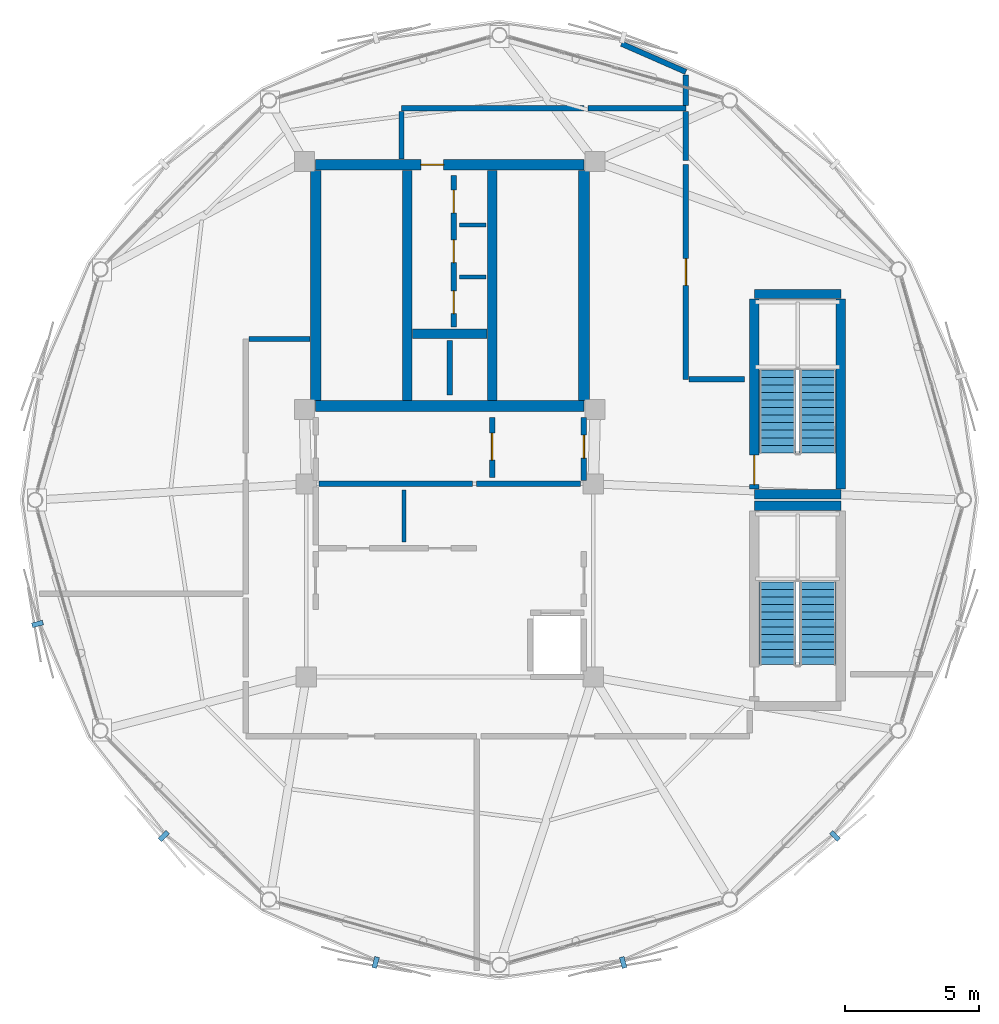
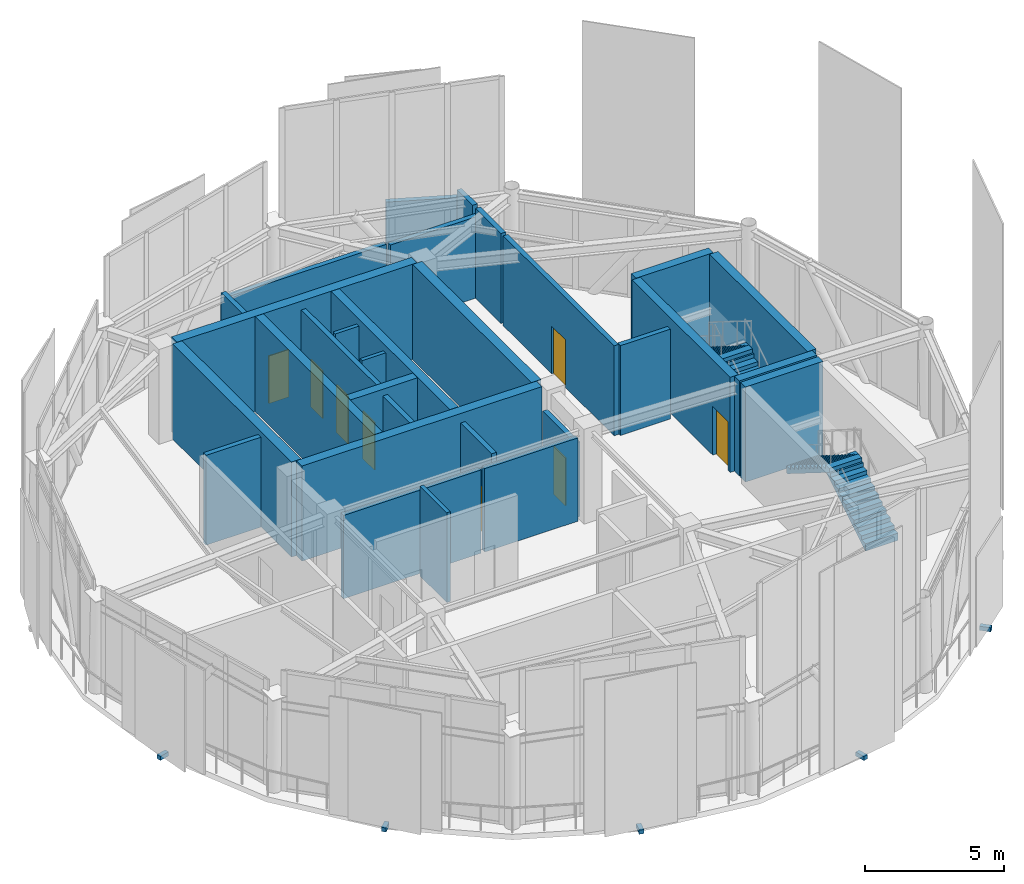
# One storey, part 16 of 20: 30 walls, 8 doors, 5 discrete accessories, 4 stair flights, 8 openings, 2 elements without a shape of their own.
"""IFC4 building model written with IfcOpenShell, lengths in metres."""

from ifc_helpers import new_model, si_unit, direction, frame, frame_2d, origin, origin_2d, place, context, subcontext, project, spatial, polyline, rectangle, outline, extrude, source, transform, mapped, material, layer, layer_set, type_object, type_shapes, element, fill, aggregate, save


model = new_model("IFC4")

# Units and contexts
model_context = context("Model", 3, precision=1e-05, world=origin(), true_north=direction((0.0, 1.0)))
body_context = subcontext(model_context, "Body", "Model", "MODEL_VIEW")
ifc_project = project(units=[si_unit("LENGTHUNIT", "METRE"), si_unit("AREAUNIT", "SQUARE_METRE"), si_unit("VOLUMEUNIT", "CUBIC_METRE"), si_unit("PLANEANGLEUNIT", "RADIAN"), si_unit("MASSUNIT", "GRAM", prefix="KILO")], contexts=[model_context])

# Site, building, storey
site_placement = place(None, origin())
site = spatial("IfcSite", under=ifc_project, at=site_placement, CompositionType="ELEMENT")
building_placement = place(site_placement, origin())
building = spatial("IfcBuilding", under=site, at=building_placement, Name="Varnakorn Sky Granary", CompositionType="ELEMENT")
storey_placement = place(building_placement, frame((0.0, 0.0, 310.800048828125)))
storey = spatial("IfcBuildingStorey", under=building, at=storey_placement, Name="L79", CompositionType="ELEMENT", Elevation=310.800048828125)

# Walls
ifc_material_1 = material(Name="Concrete C50/60", Category="concrete")
ifc_layer_1 = layer(ifc_material_1, 0.35009765625, Name="Concrete C50/60")
ifc_layer_set_1 = layer_set([ifc_layer_1], Name="Concrete C50/60")
wall_type_1 = type_object("IfcWallType", Name="WT-CW-INT-350", PredefinedType="SHEAR", material=ifc_layer_set_1)
for number, where, z_axis, x_axis, name in (
    (1, (14.35009765625, 0.219970703125, 0.0), (0.0, 0.0, 1.0), (1.0, 0.0, 0.0), "Crown Stair STC1 South Wall L79"),
    (2, (14.35009765625, 7.679931640625, 0.0), (0.0, 0.0, 1.0), (1.0, 0.0, 0.0), "Crown Stair STC1 North Wall L79"),
):
    element("IfcWall", number, at=place(storey_placement, frame(where, z_axis=z_axis, x_axis=x_axis)), inside=storey, type_object=wall_type_1, Name=name, PredefinedType="SHEAR", context=body_context, shape_type="SweptSolid", body=[
        extrude(rectangle(XDim=3.22998046875, YDim=0.35009765625, at=frame_2d((1.614990234375, 0.0))), origin(), (0.0, 0.0, 1.0), 4.19189453125),
    ])

# Wall, opening, door
wall_1_placement = place(storey_placement, frame((14.35009765625, 0.409912109375, 0.0), z_axis=(0.0, 0.0, 1.0), x_axis=(0.0, 1.0, 0.0)))
wall_1 = element("IfcWall", 3, at=wall_1_placement, inside=storey, type_object=wall_type_1, Name="Crown Stair STC1 West Wall L79", PredefinedType="SHEAR", context=body_context, shape_type="SweptSolid", body=[
    extrude(rectangle(XDim=7.080078125, YDim=0.35009765625, at=frame_2d((3.5400390625, 0.0))), origin(), (0.0, 0.0, 1.0), 4.19189453125),
])
opening_1_placement = place(wall_1_placement, frame((0.159912109375, 0.0, 0.0)))
opening_1 = element("IfcOpeningElement", 4, at=opening_1_placement, cuts=wall_1, Name="Opening FD-90", PredefinedType="OPENING", context=body_context, shape_type="SweptSolid", body=[
    extrude(rectangle(XDim=1.10009765625, YDim=2.14990234375, at=frame_2d((0.550048828125, 1.074951171875))), frame((0.0, 0.18505859375, 0.0), z_axis=(0.0, -1.0, 0.0), x_axis=(1.0, 0.0, 0.0)), (0.0, 0.0, 1.0), 0.3701171875),
])
ifc_material_2 = material(Name="Galvanised Painted Steel Leaf", Category="steel")
door_type_1 = type_object("IfcDoorType", Name="DR-STAIR-1100", OperationType="NOTDEFINED", PredefinedType="DOOR", material=ifc_material_2)
door_1_placement = place(opening_1_placement, origin())
door_1 = element("IfcDoor", 5, at=door_1_placement, inside=storey, type_object=door_type_1, Name="Crown Stair STC1 Protected Fire Door L79", OperationType="SINGLE_SWING_LEFT", OverallHeight=2.14990234375, OverallWidth=1.10009765625, PredefinedType="DOOR", context=body_context, shape_type="SweptSolid", body=[
    extrude(rectangle(XDim=1.10009765625, YDim=2.14990234375, at=frame_2d((0.550048828125, 1.074951171875))), frame((0.0, 0.02490234375, 0.0), z_axis=(0.0, -1.0, 0.0), x_axis=(1.0, 0.0, 0.0)), (0.0, 0.0, 1.0), 0.050048828125),
])
fill(opening_1, door_1)

# Walls
wall_2_placement = place(storey_placement, frame((17.580078125, 0.409912109375, 0.0), z_axis=(0.0, 0.0, 1.0), x_axis=(0.0, 1.0, 0.0)))
element("IfcWall", 6, at=wall_2_placement, inside=storey, type_object=wall_type_1, Name="Crown Stair STC1 East Wall L79", PredefinedType="SHEAR", context=body_context, shape_type="SweptSolid", body=[
    extrude(rectangle(XDim=7.080078125, YDim=0.35009765625, at=frame_2d((3.5400390625, 0.0))), origin(), (0.0, 0.0, 1.0), 4.19189453125),
])
wall_3_placement = place(storey_placement, frame((14.35009765625, -0.219970703125, 0.0), z_axis=(0.0, 0.0, 1.0), x_axis=(1.0, 0.0, 0.0)))
element("IfcWall", 7, at=wall_3_placement, inside=storey, type_object=wall_type_1, Name="Crown Stair STC2 North Wall L79", PredefinedType="SHEAR", context=body_context, shape_type="SweptSolid", body=[
    extrude(rectangle(XDim=3.22998046875, YDim=0.35009765625, at=frame_2d((1.614990234375, 0.0))), origin(), (0.0, 0.0, 1.0), 4.19189453125),
])
for number, where, z_axis, x_axis, name in (
    (8, (1.419921875, 3.7099609375, 0.0), (0.0, 0.0, 1.0), (0.0, 1.0, 0.0), "Stair ST-1 Core Wall L79"),
    (9, (4.580078125, 3.7099609375, 0.0), (0.0, 0.0, 1.0), (0.0, 1.0, 0.0), "Stair ST-2 Core Wall L79"),
):
    element("IfcWall", number, at=place(storey_placement, frame(where, z_axis=z_axis, x_axis=x_axis)), inside=storey, type_object=wall_type_1, Name=name, PredefinedType="SHEAR", context=body_context, shape_type="SweptSolid", body=[
        extrude(rectangle(XDim=8.580078125, YDim=0.35009765625, at=frame_2d((4.2900390625, 0.0))), origin(), (0.0, 0.0, 1.0), 4.19189453125),
    ])
wall_4_placement = place(storey_placement, frame((1.610107421875, 6.199951171875, 0.0), z_axis=(0.0, 0.0, 1.0), x_axis=(1.0, 0.0, 0.0)))
element("IfcWall", 10, at=wall_4_placement, inside=storey, type_object=wall_type_1, Name="Core Lift Shaft Cross Wall L79", PredefinedType="SHEAR", context=body_context, shape_type="SweptSolid", body=[
    extrude(rectangle(XDim=2.77978515625, YDim=0.35009765625, at=frame_2d((1.389892578125, 0.0))), origin(), (0.0, 0.0, 1.0), 4.19189453125),
])
ifc_layer_2 = layer(ifc_material_1, 0.39990234375, Name="Concrete C50/60")
ifc_layer_set_2 = layer_set([ifc_layer_2], Name="Concrete C50/60")
wall_type_2 = type_object("IfcWallType", Name="WT-CW-SHEAR-400", PredefinedType="SHEAR", material=ifc_layer_set_2)
wall_5_placement = place(storey_placement, frame((-2.0, 3.5, 0.0), z_axis=(0.0, 0.0, 1.0), x_axis=(1.0, 0.0, 0.0)))
element("IfcWall", 11, at=wall_5_placement, inside=storey, type_object=wall_type_2, Name="Core South Shear Wall L79", PredefinedType="SHEAR", context=body_context, shape_type="SweptSolid", body=[
    extrude(rectangle(XDim=10.0, YDim=0.39990234375, at=frame_2d((5.0, 0.0))), origin(), (0.0, 0.0, 1.0), 4.19189453125),
])

# Wall, opening, door
wall_6_placement = place(storey_placement, frame((-2.0, 12.5, 0.0), z_axis=(0.0, 0.0, 1.0), x_axis=(1.0, 0.0, 0.0)))
wall_6 = element("IfcWall", 12, at=wall_6_placement, inside=storey, type_object=wall_type_2, Name="Core North Shear Wall L79", PredefinedType="SHEAR", context=body_context, shape_type="SweptSolid", body=[
    extrude(rectangle(XDim=10.0, YDim=0.39990234375, at=frame_2d((5.0, 0.0))), origin(), (0.0, 0.0, 1.0), 4.19189453125),
])
opening_2_placement = place(wall_6_placement, frame((3.919921875, 0.0, 0.0)))
opening_2 = element("IfcOpeningElement", 13, at=opening_2_placement, cuts=wall_6, Name="Opening FD-60N", PredefinedType="OPENING", context=body_context, shape_type="SweptSolid", body=[
    extrude(rectangle(XDim=0.85009765625, YDim=2.10009765625, at=frame_2d((0.425048828125, 1.050048828125))), frame((0.0, 0.2099609375, 0.0), z_axis=(0.0, -1.0, 0.0), x_axis=(1.0, 0.0, 0.0)), (0.0, 0.0, 1.0), 0.419921875),
])
ifc_material_3 = material(Name="Acoustic Timber Fire Leaf", Category="wood")
door_type_2 = type_object("IfcDoorType", Name="DR-FD60-850", OperationType="NOTDEFINED", PredefinedType="DOOR", material=ifc_material_3)
door_2_placement = place(opening_2_placement, origin())
door_2 = element("IfcDoor", 14, at=door_2_placement, inside=storey, type_object=door_type_2, Name="Core North Service Door L79", OperationType="SINGLE_SWING_LEFT", OverallHeight=2.10009765625, OverallWidth=0.85009765625, PredefinedType="DOOR", context=body_context, shape_type="SweptSolid", body=[
    extrude(rectangle(XDim=0.85009765625, YDim=2.10009765625, at=frame_2d((0.425048828125, 1.050048828125))), frame((0.0, 0.02490234375, 0.0), z_axis=(0.0, -1.0, 0.0), x_axis=(1.0, 0.0, 0.0)), (0.0, 0.0, 1.0), 0.050048828125),
])
fill(opening_2, door_2)

# Walls
for number, where, z_axis, x_axis, name in (
    (15, (-2.0, 3.7099609375, 0.0), (0.0, 0.0, 1.0), (0.0, 1.0, 0.0), "Core West Shear Wall L79"),
    (16, (8.0, 3.7099609375, 0.0), (0.0, 0.0, 1.0), (0.0, 1.0, 0.0), "Core East Shear Wall L79"),
):
    element("IfcWall", number, at=place(storey_placement, frame(where, z_axis=z_axis, x_axis=x_axis)), inside=storey, type_object=wall_type_2, Name=name, PredefinedType="SHEAR", context=body_context, shape_type="SweptSolid", body=[
        extrude(rectangle(XDim=8.580078125, YDim=0.39990234375, at=frame_2d((4.2900390625, 0.0))), origin(), (0.0, 0.0, 1.0), 4.19189453125),
    ])

# Wall, openings, doors
ifc_material_4 = material(Name="Autoclaved Aerated Concrete Blockwork", Category="masonry")
ifc_layer_3 = layer(ifc_material_4, 0.199951171875, Name="Autoclaved Aerated Concrete Blockwork")
ifc_layer_set_3 = layer_set([ifc_layer_3], Name="Autoclaved Aerated Concrete Blockwork")
wall_type_3 = type_object("IfcWallType", Name="WT-FIRE-200", PredefinedType="MOVABLE", material=ifc_layer_set_3)
wall_7_placement = place(storey_placement, frame((3.14990234375, 6.449951171875, 0.0), z_axis=(0.0, 0.0, 1.0), x_axis=(0.0, 1.0, 0.0)))
wall_7 = element("IfcWall", 17, at=wall_7_placement, inside=storey, type_object=wall_type_3, Name="Interior Partition Wall L79-007", PredefinedType="MOVABLE", context=body_context, shape_type="SweptSolid", body=[
    extrude(rectangle(XDim=5.650146484375, YDim=0.199951171875, at=frame_2d((2.8251953125, 0.0))), origin(), (0.0, 0.0, 1.0), 3.9599609375),
])
opening_3_placement = place(wall_7_placement, frame((0.5, 0.0, 0.0)))
opening_3 = element("IfcOpeningElement", 18, at=opening_3_placement, cuts=wall_7, Name="Opening FD-60N", PredefinedType="OPENING", context=body_context, shape_type="SweptSolid", body=[
    extrude(rectangle(XDim=0.85009765625, YDim=2.10009765625, at=frame_2d((0.425048828125, 1.050048828125))), frame((0.0, 0.10986328125, 0.0), z_axis=(0.0, -1.0, 0.0), x_axis=(1.0, 0.0, 0.0)), (0.0, 0.0, 1.0), 0.219970703125),
])
opening_4_placement = place(wall_7_placement, frame((2.39990234375, 0.0, 0.0)))
opening_4 = element("IfcOpeningElement", 19, at=opening_4_placement, cuts=wall_7, Name="Opening FD-60N", PredefinedType="OPENING", context=body_context, shape_type="SweptSolid", body=[
    extrude(rectangle(XDim=0.85009765625, YDim=2.10009765625, at=frame_2d((0.425048828125, 1.050048828125))), frame((0.0, 0.10986328125, 0.0), z_axis=(0.0, -1.0, 0.0), x_axis=(1.0, 0.0, 0.0)), (0.0, 0.0, 1.0), 0.219970703125),
])
opening_5_placement = place(wall_7_placement, frame((4.25, 0.0, 0.0)))
opening_5 = element("IfcOpeningElement", 20, at=opening_5_placement, cuts=wall_7, Name="Opening FD-60N", PredefinedType="OPENING", context=body_context, shape_type="SweptSolid", body=[
    extrude(rectangle(XDim=0.85009765625, YDim=2.10009765625, at=frame_2d((0.425048828125, 1.050048828125))), frame((0.0, 0.10986328125, 0.0), z_axis=(0.0, -1.0, 0.0), x_axis=(1.0, 0.0, 0.0)), (0.0, 0.0, 1.0), 0.219970703125),
])
door_3_placement = place(opening_3_placement, origin())
door_3 = element("IfcDoor", 21, at=door_3_placement, inside=storey, type_object=door_type_2, Name="Interior Door L79-007-1", OperationType="SINGLE_SWING_RIGHT", OverallHeight=2.10009765625, OverallWidth=0.85009765625, PredefinedType="DOOR", context=body_context, shape_type="SweptSolid", body=[
    extrude(rectangle(XDim=0.85009765625, YDim=2.10009765625, at=frame_2d((0.425048828125, 1.050048828125))), frame((0.0, 0.02490234375, 0.0), z_axis=(0.0, -1.0, 0.0), x_axis=(1.0, 0.0, 0.0)), (0.0, 0.0, 1.0), 0.050048828125),
])
fill(opening_3, door_3)
door_4_placement = place(opening_4_placement, origin())
door_4 = element("IfcDoor", 22, at=door_4_placement, inside=storey, type_object=door_type_2, Name="Interior Door L79-007-2", OperationType="SINGLE_SWING_LEFT", OverallHeight=2.10009765625, OverallWidth=0.85009765625, PredefinedType="DOOR", context=body_context, shape_type="SweptSolid", body=[
    extrude(rectangle(XDim=0.85009765625, YDim=2.10009765625, at=frame_2d((0.425048828125, 1.050048828125))), frame((0.0, 0.02490234375, 0.0), z_axis=(0.0, -1.0, 0.0), x_axis=(1.0, 0.0, 0.0)), (0.0, 0.0, 1.0), 0.050048828125),
])
fill(opening_4, door_4)
door_5_placement = place(opening_5_placement, origin())
door_5 = element("IfcDoor", 23, at=door_5_placement, inside=storey, type_object=door_type_2, Name="Interior Door L79-007-3", OperationType="SINGLE_SWING_RIGHT", OverallHeight=2.10009765625, OverallWidth=0.85009765625, PredefinedType="DOOR", context=body_context, shape_type="SweptSolid", body=[
    extrude(rectangle(XDim=0.85009765625, YDim=2.10009765625, at=frame_2d((0.425048828125, 1.050048828125))), frame((0.0, 0.02490234375, 0.0), z_axis=(0.0, -1.0, 0.0), x_axis=(1.0, 0.0, 0.0)), (0.0, 0.0, 1.0), 0.050048828125),
])
fill(opening_5, door_5)

# Wall, opening, door
wall_8_placement = place(storey_placement, frame((4.580078125, 0.830078125, 0.0), z_axis=(0.0, 0.0, 1.0), x_axis=(0.0, 1.0, 0.0)))
wall_8 = element("IfcWall", 24, at=wall_8_placement, inside=storey, type_object=wall_type_3, Name="Interior Partition Wall L79-008", PredefinedType="MOVABLE", context=body_context, shape_type="SweptSolid", body=[
    extrude(rectangle(XDim=2.239990234375, YDim=0.199951171875, at=frame_2d((1.1201171875, 0.0))), origin(), (0.0, 0.0, 1.0), 3.9599609375),
])
opening_6_placement = place(wall_8_placement, frame((0.659912109375, 0.0, 0.0)))
opening_6 = element("IfcOpeningElement", 25, at=opening_6_placement, cuts=wall_8, Name="Opening FD-60", PredefinedType="OPENING", context=body_context, shape_type="SweptSolid", body=[
    extrude(rectangle(XDim=1.0, YDim=2.10009765625, at=frame_2d((0.5, 1.050048828125))), frame((0.0, 0.10986328125, 0.0), z_axis=(0.0, -1.0, 0.0), x_axis=(1.0, 0.0, 0.0)), (0.0, 0.0, 1.0), 0.219970703125),
])
door_type_3 = type_object("IfcDoorType", Name="DR-FD60-1000", OperationType="NOTDEFINED", PredefinedType="DOOR", material=ifc_material_3)
door_6_placement = place(opening_6_placement, origin())
door_6 = element("IfcDoor", 26, at=door_6_placement, inside=storey, type_object=door_type_3, Name="Interior Door L79-008-1", OperationType="SINGLE_SWING_LEFT", OverallHeight=2.10009765625, OverallWidth=1.0, PredefinedType="DOOR", context=body_context, shape_type="SweptSolid", body=[
    extrude(rectangle(XDim=1.0, YDim=2.10009765625, at=frame_2d((0.5, 1.050048828125))), frame((0.0, 0.02490234375, 0.0), z_axis=(0.0, -1.0, 0.0), x_axis=(1.0, 0.0, 0.0)), (0.0, 0.0, 1.0), 0.050048828125),
])
fill(opening_6, door_6)

wall_9_placement = place(storey_placement, frame((8.0, 0.719970703125, 0.0), z_axis=(0.0, 0.0, 1.0), x_axis=(0.0, 1.0, 0.0)))
wall_9 = element("IfcWall", 27, at=wall_9_placement, inside=storey, type_object=wall_type_3, Name="Interior Partition Wall L79-010", PredefinedType="MOVABLE", context=body_context, shape_type="SweptSolid", body=[
    extrude(rectangle(XDim=2.35009765625, YDim=0.199951171875, at=frame_2d((1.175048828125, 0.0))), origin(), (0.0, 0.0, 1.0), 3.2919921875),
])
opening_7_placement = place(wall_9_placement, frame((0.844970703125, 0.0, 0.0)))
opening_7 = element("IfcOpeningElement", 28, at=opening_7_placement, cuts=wall_9, Name="Opening FD-60N", PredefinedType="OPENING", context=body_context, shape_type="SweptSolid", body=[
    extrude(rectangle(XDim=0.85009765625, YDim=2.10009765625, at=frame_2d((0.425048828125, 1.050048828125))), frame((0.0, 0.10986328125, 0.0), z_axis=(0.0, -1.0, 0.0), x_axis=(1.0, 0.0, 0.0)), (0.0, 0.0, 1.0), 0.219970703125),
])
door_7_placement = place(opening_7_placement, origin())
door_7 = element("IfcDoor", 29, at=door_7_placement, inside=storey, type_object=door_type_2, Name="Interior Door L79-010-1", OperationType="SINGLE_SWING_LEFT", OverallHeight=2.10009765625, OverallWidth=0.85009765625, PredefinedType="DOOR", context=body_context, shape_type="SweptSolid", body=[
    extrude(rectangle(XDim=0.85009765625, YDim=2.10009765625, at=frame_2d((0.425048828125, 1.050048828125))), frame((0.0, 0.02490234375, 0.0), z_axis=(0.0, -1.0, 0.0), x_axis=(1.0, 0.0, 0.0)), (0.0, 0.0, 1.0), 0.050048828125),
])
fill(opening_7, door_7)

wall_10_placement = place(storey_placement, frame((11.800048828125, 4.5, 0.0), z_axis=(0.0, 0.0, 1.0), x_axis=(0.0, 1.0, 0.0)))
wall_10 = element("IfcWall", 30, at=wall_10_placement, inside=storey, type_object=wall_type_3, Name="Interior Partition Wall L79-017", PredefinedType="MOVABLE", context=body_context, shape_type="SweptSolid", body=[
    extrude(rectangle(XDim=8.0, YDim=0.199951171875, at=frame_2d((4.0, 0.0))), origin(), (0.0, 0.0, 1.0), 3.9599609375),
])
opening_8_placement = place(wall_10_placement, frame((3.5, 0.0, 0.0)))
opening_8 = element("IfcOpeningElement", 31, at=opening_8_placement, cuts=wall_10, Name="Opening FD-60", PredefinedType="OPENING", context=body_context, shape_type="SweptSolid", body=[
    extrude(rectangle(XDim=1.0, YDim=2.10009765625, at=frame_2d((0.5, 1.050048828125))), frame((0.0, 0.10986328125, 0.0), z_axis=(0.0, -1.0, 0.0), x_axis=(1.0, 0.0, 0.0)), (0.0, 0.0, 1.0), 0.219970703125),
])
door_8_placement = place(opening_8_placement, origin())
door_8 = element("IfcDoor", 32, at=door_8_placement, inside=storey, type_object=door_type_3, Name="Interior Door L79-017-1", OperationType="SINGLE_SWING_LEFT", OverallHeight=2.10009765625, OverallWidth=1.0, PredefinedType="DOOR", context=body_context, shape_type="SweptSolid", body=[
    extrude(rectangle(XDim=1.0, YDim=2.10009765625, at=frame_2d((0.5, 1.050048828125))), frame((0.0, 0.02490234375, 0.0), z_axis=(0.0, -1.0, 0.0), x_axis=(1.0, 0.0, 0.0)), (0.0, 0.0, 1.0), 0.050048828125),
])
fill(opening_8, door_8)

# Walls
wall_11_placement = place(storey_placement, frame((-1.8798828125, 0.60009765625, 0.0), z_axis=(0.0, 0.0, 1.0), x_axis=(1.0, 0.0, 0.0)))
element("IfcWall", 33, at=wall_11_placement, inside=storey, type_object=wall_type_3, Name="Interior Partition Wall L79-020", PredefinedType="MOVABLE", context=body_context, shape_type="SweptSolid", body=[
    extrude(rectangle(XDim=5.719970703125, YDim=0.199951171875, at=frame_2d((2.85986328125, 0.0))), origin(), (0.0, 0.0, 1.0), 3.671875),
])
wall_12_placement = place(storey_placement, frame((8.0, 14.60009765625, 0.0), z_axis=(0.0, 0.0, 1.0), x_axis=(-1.0, 0.0, 0.0)))
element("IfcWall", 34, at=wall_12_placement, inside=storey, type_object=wall_type_3, Name="Interior Partition Wall L79-023", PredefinedType="MOVABLE", context=body_context, shape_type="SweptSolid", body=[
    extrude(rectangle(XDim=6.800048828125, YDim=0.199951171875, at=frame_2d((3.39990234375, 0.0))), origin(), (0.0, 0.0, 1.0), 3.671875),
])
wall_13_placement = place(storey_placement, frame((11.800048828125, 14.60009765625, 0.0), z_axis=(0.0, 0.0, 1.0), x_axis=(-1.0, 0.0, 0.0)))
element("IfcWall", 35, at=wall_13_placement, inside=storey, type_object=wall_type_3, Name="Interior Partition Wall L79-024", PredefinedType="MOVABLE", context=body_context, shape_type="SweptSolid", body=[
    extrude(rectangle(XDim=3.64013671875, YDim=0.199951171875, at=frame_2d((1.820068359375, 0.0))), origin(), (0.0, 0.0, 1.0), 3.58203125),
])
wall_14_placement = place(storey_placement, frame((-2.2099609375, 6.0, 0.0), z_axis=(0.0, 0.0, 1.0), x_axis=(-1.0, 0.0, 0.0)))
element("IfcWall", 36, at=wall_14_placement, inside=storey, type_object=wall_type_3, Name="Interior Partition Wall L79-025", PredefinedType="MOVABLE", context=body_context, shape_type="SweptSolid", body=[
    extrude(rectangle(XDim=2.280029296875, YDim=0.199951171875, at=frame_2d((1.14013671875, 0.0))), origin(), (0.0, 0.0, 1.0), 3.9599609375),
])
wall_15_placement = place(storey_placement, frame((1.199951171875, 14.489990234375, 0.0), z_axis=(0.0, 0.0, 1.0), x_axis=(0.0, -1.0, 0.0)))
element("IfcWall", 37, at=wall_15_placement, inside=storey, type_object=wall_type_3, Name="Interior Partition Wall L79-026", PredefinedType="MOVABLE", context=body_context, shape_type="SweptSolid", body=[
    extrude(rectangle(XDim=1.780029296875, YDim=0.199951171875, at=frame_2d((0.89013671875, 0.0))), origin(), (0.0, 0.0, 1.0), 3.9599609375),
])
wall_16_placement = place(storey_placement, frame((13.9951171875, 4.5, 0.0), z_axis=(0.0, 0.0, 1.0), x_axis=(-1.0, 0.0, 0.0)))
element("IfcWall", 38, at=wall_16_placement, inside=storey, type_object=wall_type_3, Name="Interior Partition Wall L79-031", PredefinedType="MOVABLE", context=body_context, shape_type="SweptSolid", body=[
    extrude(rectangle(XDim=2.085205078125, YDim=0.199951171875, at=frame_2d((1.04248046875, 0.0))), origin(), (0.0, 0.0, 1.0), 3.9599609375),
])
wall_17_placement = place(storey_placement, frame((11.800048828125, 12.659912109375, 0.0), z_axis=(0.0, 0.0, 1.0), x_axis=(0.0, 1.0, 0.0)))
element("IfcWall", 39, at=wall_17_placement, inside=storey, type_object=wall_type_3, Name="Interior Partition Wall L79-032", PredefinedType="MOVABLE", context=body_context, shape_type="SweptSolid", body=[
    extrude(rectangle(XDim=1.830078125, YDim=0.199951171875, at=frame_2d((0.9150390625, 0.0))), origin(), (0.0, 0.0, 1.0), 3.9599609375),
])
wall_18_placement = place(storey_placement, frame((9.402099609375, 17.008056640625, 0.0), z_axis=(0.0, 0.0, 1.0), x_axis=(0.916024576692, -0.401122144609, 0.0)))
element("IfcWall", 40, at=wall_18_placement, inside=storey, type_object=wall_type_3, Name="Interior Partition Wall L79-034", PredefinedType="MOVABLE", context=body_context, shape_type="SweptSolid", body=[
    extrude(rectangle(XDim=2.61767578125, YDim=0.199951171875, at=frame_2d((1.308837890625, 0.0))), origin(), (0.0, 0.0, 1.0), 3.58203125),
])
wall_19_placement = place(storey_placement, frame((11.800048828125, 15.847900390625, 0.0), z_axis=(0.0, 0.0, 1.0), x_axis=(0.0, -1.0, 0.0)))
element("IfcWall", 41, at=wall_19_placement, inside=storey, type_object=wall_type_3, Name="Interior Partition Wall L79-035", PredefinedType="MOVABLE", context=body_context, shape_type="SweptSolid", body=[
    extrude(rectangle(XDim=1.137939453125, YDim=0.199951171875, at=frame_2d((0.56884765625, 0.0))), origin(), (0.0, 0.0, 1.0), 3.9599609375),
])
ifc_material_5 = material(Name="Gypsum Plasterboard on Steel Stud", Category="steel")
ifc_layer_4 = layer(ifc_material_5, 0.14990234375, Name="Gypsum Plasterboard on Steel Stud")
ifc_layer_set_4 = layer_set([ifc_layer_4], Name="Gypsum Plasterboard on Steel Stud")
wall_type_4 = type_object("IfcWallType", Name="WT-PART-150", PredefinedType="PARTITIONING", material=ifc_layer_set_4)
for number, where, z_axis, x_axis, name in (
    (42, (3.3701171875, 8.320068359375, 0.0), (0.0, 0.0, 1.0), (1.0, 0.0, 0.0), "Interior Partition Wall L79-018"),
    (43, (3.3701171875, 10.260009765625, 0.0), (0.0, 0.0, 1.0), (1.0, 0.0, 0.0), "Interior Partition Wall L79-019"),
):
    element("IfcWall", number, at=place(storey_placement, frame(where, z_axis=z_axis, x_axis=x_axis)), inside=storey, type_object=wall_type_4, Name=name, PredefinedType="PARTITIONING", context=body_context, shape_type="SweptSolid", body=[
        extrude(rectangle(XDim=0.97998046875, YDim=0.14990234375, at=frame_2d((0.489990234375, 0.0))), origin(), (0.0, 0.0, 1.0), 3.9599609375),
    ])
wall_20_placement = place(storey_placement, frame((1.300048828125, -1.570068359375, 0.0), z_axis=(0.0, 0.0, 1.0), x_axis=(0.0, 1.0, 0.0)))
element("IfcWall", 44, at=wall_20_placement, inside=storey, type_object=wall_type_4, Name="Interior Partition Wall L79-021", PredefinedType="PARTITIONING", context=body_context, shape_type="SweptSolid", body=[
    extrude(rectangle(XDim=1.940185546875, YDim=0.14990234375, at=frame_2d((0.97021484375, 0.0))), origin(), (0.0, 0.0, 1.0), 3.9599609375),
])
ifc_layer_5 = layer(ifc_material_4, 0.199951171875, Name="Autoclaved Aerated Concrete Blockwork")
ifc_layer_set_5 = layer_set([ifc_layer_5], Name="Autoclaved Aerated Concrete Blockwork")
wall_type_5 = type_object("IfcWallType", Name="WT-SHAFT-200", PredefinedType="SOLIDWALL", material=ifc_layer_set_5)
wall_21_placement = place(storey_placement, frame((3.0, 3.919921875, 0.0), z_axis=(0.0, 0.0, 1.0), x_axis=(0.0, 1.0, 0.0)))
element("IfcWall", 45, at=wall_21_placement, inside=storey, type_object=wall_type_5, Name="Interior Partition Wall L79-001", PredefinedType="SOLIDWALL", context=body_context, shape_type="SweptSolid", body=[
    extrude(rectangle(XDim=2.030029296875, YDim=0.199951171875, at=frame_2d((1.01513671875, 0.0))), origin(), (0.0, 0.0, 1.0), 3.9599609375),
])
wall_22_placement = place(storey_placement, frame((4.0, 0.60009765625, 0.0), z_axis=(0.0, 0.0, 1.0), x_axis=(1.0, 0.0, 0.0)))
element("IfcWall", 46, at=wall_22_placement, inside=storey, type_object=wall_type_5, Name="Interior Partition Wall L79-002", PredefinedType="SOLIDWALL", context=body_context, shape_type="SweptSolid", body=[
    extrude(rectangle(XDim=3.8798828125, YDim=0.199951171875, at=frame_2d((1.93994140625, 0.0))), origin(), (0.0, 0.0, 1.0), 3.671875),
])

# Stair, stair flights
ifc_material_6 = material(Name="Concrete C40/50", Category="concrete")
stair_type = type_object("IfcStairType", Name="ST-CRWN-ASSEMBLY", PredefinedType="HALF_TURN_STAIR", material=ifc_material_6)
stair_1_placement = place(storey_placement, origin())
stair_1 = element("IfcStair", 47, at=stair_1_placement, inside=storey, type_object=stair_type, Name="L79 Crown North Exit Stair ST-C1", PredefinedType="HALF_TURN_STAIR")
stair_flight_type = type_object("IfcStairFlightType", Name="ST-CRWN-FLIGHT", PredefinedType="STRAIGHT", material=ifc_material_6)
stair_flight_1_placement = place(storey_placement, frame((16.719970703125, 1.760009765625, 0.0), z_axis=(0.0, 0.0, 1.0), x_axis=(0.0, 1.0, 0.0)))
stair_flight_1 = element("IfcStairFlight", 48, at=stair_flight_1_placement, type_object=stair_flight_type, Name="ST-C1 flight 1", NumberOfRisers=12, NumberOfTreads=11, PredefinedType="STRAIGHT", RiserHeight=0.175, TreadLength=0.28, context=body_context, shape_type="SweptSolid", body=[
    extrude(outline(polyline([(0.0, -0.14990234375), (0.0, 0.0), (0.0, 0.175048828125), (0.280029296875, 0.175048828125), (0.280029296875, 0.35009765625), (0.56005859375, 0.35009765625), (0.56005859375, 0.52490234375), (0.840087890625, 0.52490234375), (0.840087890625, 0.699951171875), (1.1201171875, 0.699951171875), (1.1201171875, 0.875), (1.39990234375, 0.875), (1.39990234375, 1.050048828125), (1.679931640625, 1.050048828125), (1.679931640625, 1.22509765625), (1.9599609375, 1.22509765625), (1.9599609375, 1.39990234375), (2.239990234375, 1.39990234375), (2.239990234375, 1.574951171875), (2.52001953125, 1.574951171875), (2.52001953125, 1.75), (2.800048828125, 1.75), (2.800048828125, 1.925048828125), (3.080078125, 1.925048828125), (3.080078125, 2.10009765625), (3.080078125, 1.748291015625), (0.050048828125, -0.14990234375), (0.0, -0.14990234375)])), frame((0.0, 0.68017578125, 0.0), z_axis=(0.0, -1.0, 0.0), x_axis=(1.0, 0.0, 0.0)), (0.0, 0.0, 1.0), 1.360107421875),
])
stair_flight_2_placement = place(storey_placement, frame((15.2099609375, 4.840087890625, 2.099853515625), z_axis=(0.0, 0.0, 1.0), x_axis=(0.0, -1.0, 0.0)))
stair_flight_2 = element("IfcStairFlight", 49, at=stair_flight_2_placement, type_object=stair_flight_type, Name="ST-C1 flight 2", NumberOfRisers=12, NumberOfTreads=11, PredefinedType="STRAIGHT", RiserHeight=0.175, TreadLength=0.28, context=body_context, shape_type="SweptSolid", body=[
    extrude(outline(polyline([(0.0, -0.14990234375), (0.0, 0.0), (0.0, 0.175048828125), (0.280029296875, 0.175048828125), (0.280029296875, 0.35009765625), (0.56005859375, 0.35009765625), (0.56005859375, 0.52490234375), (0.840087890625, 0.52490234375), (0.840087890625, 0.699951171875), (1.1201171875, 0.699951171875), (1.1201171875, 0.875), (1.39990234375, 0.875), (1.39990234375, 1.050048828125), (1.679931640625, 1.050048828125), (1.679931640625, 1.22509765625), (1.9599609375, 1.22509765625), (1.9599609375, 1.39990234375), (2.239990234375, 1.39990234375), (2.239990234375, 1.574951171875), (2.52001953125, 1.574951171875), (2.52001953125, 1.75), (2.800048828125, 1.75), (2.800048828125, 1.925048828125), (3.080078125, 1.925048828125), (3.080078125, 2.10009765625), (3.080078125, 1.748291015625), (0.050048828125, -0.14990234375), (0.0, -0.14990234375)])), frame((0.0, 0.68017578125, 0.0), z_axis=(0.0, -1.0, 0.0), x_axis=(1.0, 0.0, 0.0)), (0.0, 0.0, 1.0), 1.360107421875),
])
aggregate(stair_1, [stair_flight_1, stair_flight_2])

stair_2_placement = place(storey_placement, origin())
stair_2 = element("IfcStair", 50, at=stair_2_placement, inside=storey, type_object=stair_type, Name="L79 Crown South Exit Stair ST-C2", PredefinedType="HALF_TURN_STAIR")
stair_flight_3_placement = place(storey_placement, frame((16.719970703125, -6.139892578125, 0.0), z_axis=(0.0, 0.0, 1.0), x_axis=(0.0, 1.0, 0.0)))
stair_flight_3 = element("IfcStairFlight", 51, at=stair_flight_3_placement, type_object=stair_flight_type, Name="ST-C2 flight 1", NumberOfRisers=12, NumberOfTreads=11, PredefinedType="STRAIGHT", RiserHeight=0.175, TreadLength=0.28, context=body_context, shape_type="SweptSolid", body=[
    extrude(outline(polyline([(0.0, -0.14990234375), (0.0, 0.0), (0.0, 0.175048828125), (0.280029296875, 0.175048828125), (0.280029296875, 0.35009765625), (0.56005859375, 0.35009765625), (0.56005859375, 0.52490234375), (0.840087890625, 0.52490234375), (0.840087890625, 0.699951171875), (1.1201171875, 0.699951171875), (1.1201171875, 0.875), (1.39990234375, 0.875), (1.39990234375, 1.050048828125), (1.679931640625, 1.050048828125), (1.679931640625, 1.22509765625), (1.9599609375, 1.22509765625), (1.9599609375, 1.39990234375), (2.239990234375, 1.39990234375), (2.239990234375, 1.574951171875), (2.52001953125, 1.574951171875), (2.52001953125, 1.75), (2.800048828125, 1.75), (2.800048828125, 1.925048828125), (3.080078125, 1.925048828125), (3.080078125, 2.10009765625), (3.080078125, 1.748291015625), (0.050048828125, -0.14990234375), (0.0, -0.14990234375)])), frame((0.0, 0.68017578125, 0.0), z_axis=(0.0, -1.0, 0.0), x_axis=(1.0, 0.0, 0.0)), (0.0, 0.0, 1.0), 1.360107421875),
])
stair_flight_4_placement = place(storey_placement, frame((15.2099609375, -3.06005859375, 2.099853515625), z_axis=(0.0, 0.0, 1.0), x_axis=(0.0, -1.0, 0.0)))
stair_flight_4 = element("IfcStairFlight", 52, at=stair_flight_4_placement, type_object=stair_flight_type, Name="ST-C2 flight 2", NumberOfRisers=12, NumberOfTreads=11, PredefinedType="STRAIGHT", RiserHeight=0.175, TreadLength=0.28, context=body_context, shape_type="SweptSolid", body=[
    extrude(outline(polyline([(0.0, -0.14990234375), (0.0, 0.0), (0.0, 0.175048828125), (0.280029296875, 0.175048828125), (0.280029296875, 0.35009765625), (0.56005859375, 0.35009765625), (0.56005859375, 0.52490234375), (0.840087890625, 0.52490234375), (0.840087890625, 0.699951171875), (1.1201171875, 0.699951171875), (1.1201171875, 0.875), (1.39990234375, 0.875), (1.39990234375, 1.050048828125), (1.679931640625, 1.050048828125), (1.679931640625, 1.22509765625), (1.9599609375, 1.22509765625), (1.9599609375, 1.39990234375), (2.239990234375, 1.39990234375), (2.239990234375, 1.574951171875), (2.52001953125, 1.574951171875), (2.52001953125, 1.75), (2.800048828125, 1.75), (2.800048828125, 1.925048828125), (3.080078125, 1.925048828125), (3.080078125, 2.10009765625), (3.080078125, 1.748291015625), (0.050048828125, -0.14990234375), (0.0, -0.14990234375)])), frame((0.0, 0.68017578125, 0.0), z_axis=(0.0, -1.0, 0.0), x_axis=(1.0, 0.0, 0.0)), (0.0, 0.0, 1.0), 1.360107421875),
])
aggregate(stair_2, [stair_flight_3, stair_flight_4])

# Discrete accessories
ifc_material_7 = material(Name="Steel S355JR", Category="steel")
discrete_accessory_type = type_object("IfcDiscreteAccessoryType", Name="AC-BRK-01", PredefinedType="BRACKET", material=ifc_material_7)
shared_shape = source(origin(), body_context, "Body", "SweptSolid", [
    extrude(rectangle(XDim=0.179931640625, YDim=0.419921875, at=origin_2d()), origin(), (0.0, 0.0, 1.0), 0.179931640625),
])
type_shapes(discrete_accessory_type, [shared_shape])
for number, where, z_axis, x_axis, name in (
    (53, (-12.36865234375, -4.619384765625, -0.2001953125), (0.0, 0.0, 1.0), (0.259116487925, -0.965846077636, 0.0), "Facade Solar-Screen Outrigger Bracket L79-07"),
    (54, (-7.659423828125, -12.52490234375, -0.2001953125), (0.0, 0.0, 1.0), (0.707547435477, -0.706665852118, 0.0), "Facade Solar-Screen Outrigger Bracket L79-08"),
    (55, (0.236328125, -17.23974609375, -0.2001953125), (0.0, 0.0, 1.0), (0.966005254616, -0.258522432401, 0.0), "Facade Solar-Screen Outrigger Bracket L79-09"),
    (56, (9.463623046875, -17.23974609375, -0.2001953125), (0.0, 0.0, 1.0), (0.966005254616, 0.258522432401, 0.0), "Facade Solar-Screen Outrigger Bracket L79-10"),
    (57, (17.359375, -12.52490234375, -0.2001953125), (0.0, 0.0, 1.0), (0.707547435477, 0.706665852118, 0.0), "Facade Solar-Screen Outrigger Bracket L79-11"),
):
    element("IfcDiscreteAccessory", number, at=place(storey_placement, frame(where, z_axis=z_axis, x_axis=x_axis)), inside=storey, type_object=discrete_accessory_type, Name=name, PredefinedType="BRACKET", context=body_context, shape_type="MappedRepresentation", body=[
        mapped(shared_shape, transform((0.0, 0.0, 0.0), x_axis=(1.0, 0.0, 0.0), y_axis=(0.0, 1.0, 0.0), z_axis=(0.0, 0.0, 1.0), scale=1.0)),
    ])

save(model, "model.ifc")
